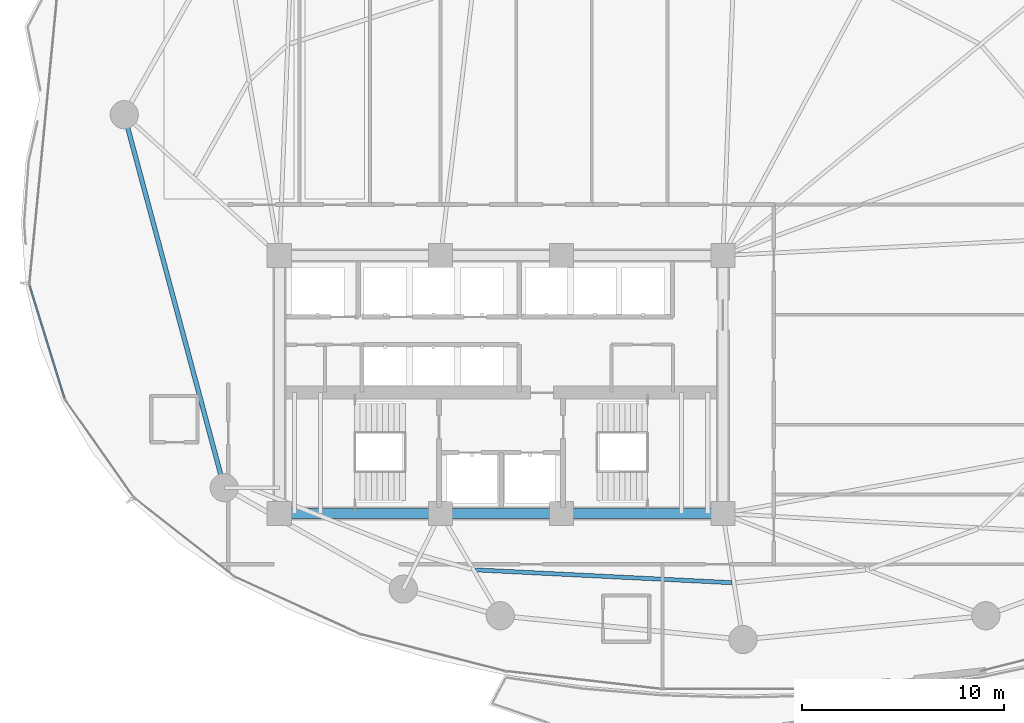
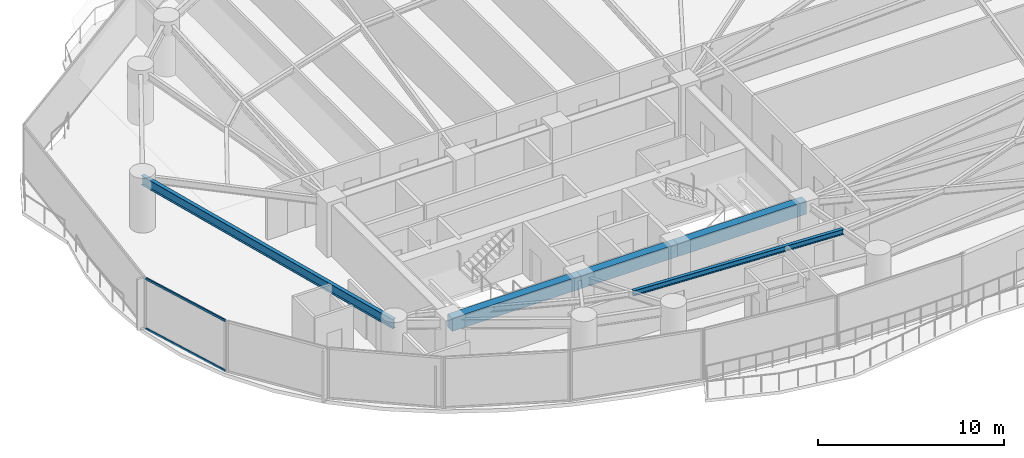
# One storey, part 7 of 31: 5 beams, 2 members, 1 element without a shape of its own.
"""IFC4 building model written with IfcOpenShell, lengths in metres."""

from ifc_helpers import new_model, si_unit, direction, frame, origin, origin_2d, place, context, subcontext, project, spatial, rectangle, hollow_rectangle, i_section, extrude, material, layer, layer_set, material_profile, profile_set, type_object, element, aggregate, save


model = new_model("IFC4")

# Units and contexts
model_context = context("Model", 3, precision=1e-05, world=origin(), true_north=direction((0.0, 1.0)))
body_context = subcontext(model_context, "Body", "Model", "MODEL_VIEW")
ifc_project = project(units=[si_unit("LENGTHUNIT", "METRE"), si_unit("AREAUNIT", "SQUARE_METRE"), si_unit("VOLUMEUNIT", "CUBIC_METRE"), si_unit("PLANEANGLEUNIT", "RADIAN"), si_unit("MASSUNIT", "GRAM", prefix="KILO")], contexts=[model_context])

# Site, building, storey
site_placement = place(None, origin())
site = spatial("IfcSite", under=ifc_project, at=site_placement, CompositionType="ELEMENT")
building_placement = place(site_placement, origin())
building = spatial("IfcBuilding", under=site, at=building_placement, Name="Kazevale Care Tower and Concert Hall", CompositionType="ELEMENT")
storey_placement = place(building_placement, frame((0.0, 0.0, 60.0)))
storey = spatial("IfcBuildingStorey", under=building, at=storey_placement, Name="L15", CompositionType="ELEMENT", Elevation=60.0)

# Curtain wall, members
ifc_material_1 = material(Name="Aluminium 6063-T6 and Low-E Glass", Category="aluminium")
ifc_layer = layer(ifc_material_1, 0.179931640625)
ifc_layer_set = layer_set([ifc_layer], Name="Aluminium 6063-T6 and Low-E Glass")
curtain_wall_type = type_object("IfcCurtainWallType", Name="Waist & Upper Residential Curtain Wall CW-4", PredefinedType="NOTDEFINED", material=ifc_layer_set)
curtain_wall_placement = place(storey_placement, origin())
curtain_wall = element("IfcCurtainWall", 1, at=curtain_wall_placement, inside=storey, type_object=curtain_wall_type, Name="cw:L15:f12", PredefinedType="NOTDEFINED")
ifc_material_2 = material(Name="Aluminium 6063-T6", Category="aluminium")
ifc_material_profile_1 = material_profile(ifc_material_2, hollow_rectangle(XDim=0.080078125, YDim=0.139892578125, WallThickness=0.00390625, at=origin_2d()), Name="ALU80x140x4")
ifc_profile_set_1 = profile_set([ifc_material_profile_1], Name="Aluminium 6063-T6")
member_type = type_object("IfcMemberType", Name="CW-4 Transom ALU80x140x4", PredefinedType="USERDEFINED", material=ifc_profile_set_1)
member_1_placement = place(storey_placement, frame((11.347412109375, 29.33447265625, 0.0400390625), z_axis=(-0.296117563823, 0.955151500232, 0.0), x_axis=(-0.955151500232, -0.296117563823, 0.0)))
member_1 = element("IfcMember", 2, at=member_1_placement, type_object=member_type, Name="CW-4 transom 1.1", ObjectType="TRANSOM", PredefinedType="USERDEFINED", context=body_context, shape_type="SweptSolid", body=[
    extrude(hollow_rectangle(XDim=0.080078125, YDim=0.139892578125, WallThickness=0.00390625, at=origin_2d()), origin(), (0.0, 0.0, 1.0), 5.8076171875),
])
member_2_placement = place(storey_placement, frame((11.347412109375, 29.33447265625, 3.320068359375), z_axis=(-0.296117563823, 0.955151500232, 0.0), x_axis=(-0.955151500232, -0.296117563823, 0.0)))
member_2 = element("IfcMember", 3, at=member_2_placement, type_object=member_type, Name="CW-4 transom 1.2", ObjectType="TRANSOM", PredefinedType="USERDEFINED", context=body_context, shape_type="SweptSolid", body=[
    extrude(hollow_rectangle(XDim=0.080078125, YDim=0.139892578125, WallThickness=0.00390625, at=origin_2d()), origin(), (0.0, 0.0, 1.0), 5.8076171875),
])
aggregate(curtain_wall, [member_1, member_2])

# Beams
ifc_material_3 = material(Name="Concrete C60", Category="concrete")
ifc_material_profile_2 = material_profile(ifc_material_3, rectangle(XDim=0.5, YDim=0.85009765625, at=origin_2d()), Name="RC-B500x850")
ifc_profile_set_2 = profile_set([ifc_material_profile_2], Name="Concrete C60")
beam_type_1 = type_object("IfcBeamType", Name="Core Coupling Beam RC500x850", PredefinedType="LINTEL", material=ifc_profile_set_2)
beam_1_placement = place(storey_placement, frame((22.0, 23.60009765625, 2.93505859375), z_axis=(1.0, 0.0, 0.0), x_axis=(0.0, 1.0, 0.0)))
element("IfcBeam", 4, at=beam_1_placement, inside=storey, type_object=beam_type_1, Name="beam:L15:coretie:1", PredefinedType="LINTEL", context=body_context, shape_type="SweptSolid", body=[
    extrude(rectangle(XDim=0.5, YDim=0.85009765625, at=origin_2d()), origin(), (0.0, 0.0, 1.0), 8.0),
])
beam_2_placement = place(storey_placement, frame((30.0, 23.60009765625, 2.93505859375), z_axis=(1.0, 0.0, 0.0), x_axis=(0.0, 1.0, 0.0)))
element("IfcBeam", 5, at=beam_2_placement, inside=storey, type_object=beam_type_1, Name="beam:L15:coretie:2", PredefinedType="LINTEL", context=body_context, shape_type="SweptSolid", body=[
    extrude(rectangle(XDim=0.5, YDim=0.85009765625, at=origin_2d()), origin(), (0.0, 0.0, 1.0), 6.0),
])
beam_3_placement = place(storey_placement, frame((36.0, 23.60009765625, 2.93505859375), z_axis=(1.0, 0.0, 0.0), x_axis=(0.0, 1.0, 0.0)))
element("IfcBeam", 6, at=beam_3_placement, inside=storey, type_object=beam_type_1, Name="beam:L15:coretie:3", PredefinedType="LINTEL", context=body_context, shape_type="SweptSolid", body=[
    extrude(rectangle(XDim=0.5, YDim=0.85009765625, at=origin_2d()), origin(), (0.0, 0.0, 1.0), 8.0),
])
ifc_material_4 = material(Name="Steel ASTM A572 Gr 50", Category="steel")
ifc_material_profile_3 = material_profile(ifc_material_4, i_section(OverallWidth=0.22900390625, OverallDepth=0.612060546875, WebThickness=0.011962890625, FlangeThickness=0.01953125, at=origin_2d()), Name="W610x125")
ifc_profile_set_3 = profile_set([ifc_material_profile_3], Name="Steel ASTM A572 Gr 50")
beam_type_2 = type_object("IfcBeamType", Name="Ring Spandrel Beam W610x125", PredefinedType="SPANDREL", material=ifc_profile_set_3)
beam_4_placement = place(storey_placement, frame((14.31005859375, 43.3798828125, 3.053955078125), z_axis=(0.258960352031, -0.965887952133, 0.0), x_axis=(0.965887952133, 0.258960352031, 0.0)))
element("IfcBeam", 7, at=beam_4_placement, inside=storey, type_object=beam_type_2, Name="beam:L15:ring:09", PredefinedType="SPANDREL", context=body_context, shape_type="SweptSolid", body=[
    extrude(i_section(OverallWidth=0.22900390625, OverallDepth=0.612060546875, WebThickness=0.011962890625, FlangeThickness=0.01953125, at=origin_2d()), origin(), (0.0, 0.0, 1.0), 19.1533203125),
])
ifc_material_profile_4 = material_profile(ifc_material_4, i_section(OverallWidth=0.205078125, OverallDepth=0.35400390625, WebThickness=0.009521484375, FlangeThickness=0.016845703125, at=origin_2d()), Name="W360x79")
ifc_profile_set_4 = profile_set([ifc_material_profile_4], Name="Steel ASTM A572 Gr 50")
beam_type_3 = type_object("IfcBeamType", Name="Secondary Floor Joist W360x79", PredefinedType="JOIST", material=ifc_profile_set_4)
beam_5_placement = place(storey_placement, frame((31.73291015625, 20.805908203125, 3.18310546875), z_axis=(0.998743186005, -0.050120339262, 0.0), x_axis=(0.050120339262, 0.998743186005, 0.0)))
element("IfcBeam", 8, at=beam_5_placement, inside=storey, type_object=beam_type_3, Name="beam:L15:joist:12", PredefinedType="JOIST", context=body_context, shape_type="SweptSolid", body=[
    extrude(i_section(OverallWidth=0.205078125, OverallDepth=0.35400390625, WebThickness=0.009521484375, FlangeThickness=0.016845703125, at=origin_2d()), origin(), (0.0, 0.0, 1.0), 12.728271484375),
])

save(model, "model.ifc")
